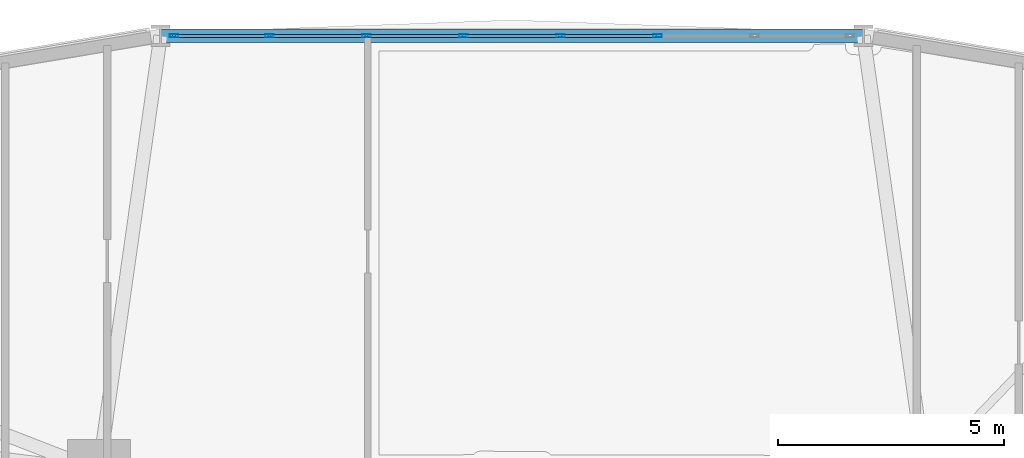
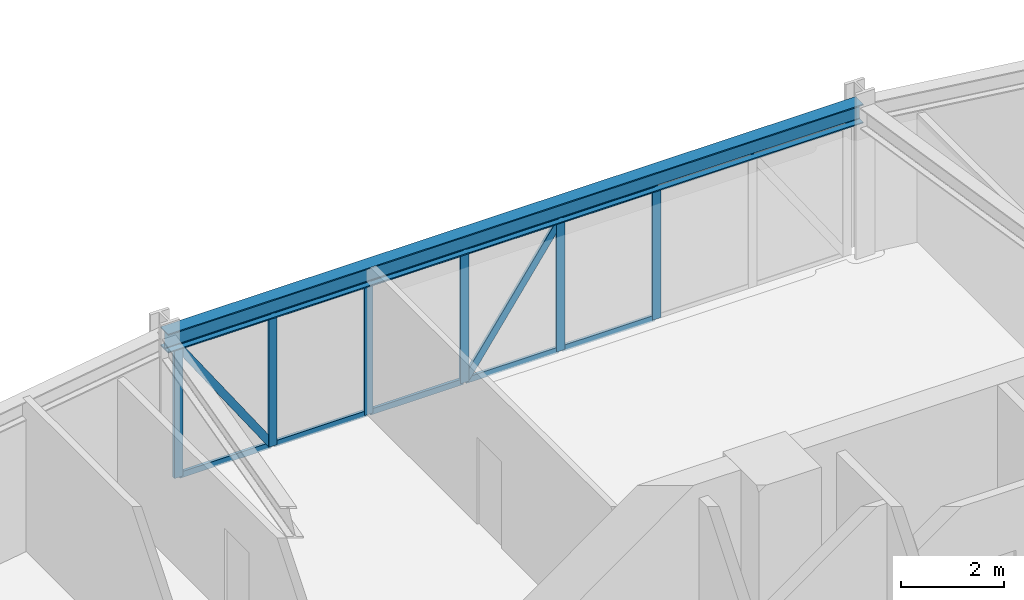
# One storey, part 12 of 22: 18 members, 1 beam, 1 element without a shape of its own.
"""IFC4 building model written with IfcOpenShell, lengths in metres."""

from ifc_helpers import new_model, si_unit, derived_unit, direction, frame, origin, origin_2d, place, context, subcontext, project, spatial, hollow_rectangle, i_section, extrude, source, transform, mapped, material, layer, layer_set, material_profile, profile_set, type_object, element, aggregate, save


model = new_model("IFC4")

# Units and contexts
model_context = context("Model", 3, precision=1e-05, world=origin(), true_north=direction((0.0, 1.0)))
body_context = subcontext(model_context, "Body", "Model", "MODEL_VIEW")
ifc_project = project(units=[si_unit("LENGTHUNIT", "METRE"), si_unit("AREAUNIT", "SQUARE_METRE"), si_unit("VOLUMEUNIT", "CUBIC_METRE"), si_unit("PLANEANGLEUNIT", "RADIAN"), si_unit("MASSUNIT", "GRAM", prefix="KILO"), derived_unit("THERMALTRANSMITTANCEUNIT", [(si_unit("POWERUNIT", "WATT"), 1), (si_unit("LENGTHUNIT", "METRE"), -2), (si_unit("THERMODYNAMICTEMPERATUREUNIT", "KELVIN"), -1)])], contexts=[model_context])

# Site, building, storey
site_placement = place(None, origin())
site = spatial("IfcSite", under=ifc_project, at=site_placement, CompositionType="ELEMENT")
building_placement = place(site_placement, origin())
building = spatial("IfcBuilding", under=site, at=building_placement, Name="Korsvarv Bourse and Concert Hall", CompositionType="ELEMENT")
storey_placement = place(building_placement, frame((0.0, 0.0, 55.199951171875)))
storey = spatial("IfcBuildingStorey", under=building, at=storey_placement, Name="L13", CompositionType="ELEMENT", Elevation=55.199951171875)

# Beam
ifc_material_1 = material(Name="Steel S355", Category="steel")
ifc_material_profile_1 = material_profile(ifc_material_1, i_section(OverallWidth=0.300048828125, OverallDepth=0.449951171875, WebThickness=0.013916015625, FlangeThickness=0.02587890625, FilletRadius=0.02099609375, at=origin_2d()), Name="HEB 450")
ifc_profile_set_1 = profile_set([ifc_material_profile_1], Name="Steel S355")
beam_type = type_object("IfcBeamType", Name="BM-HEB450", PredefinedType="SPANDREL", material=ifc_profile_set_1)
shared_shape_1 = source(origin(), body_context, "Body", "SweptSolid", [
    extrude(i_section(OverallWidth=0.300048828125, OverallDepth=0.449951171875, WebThickness=0.013916015625, FlangeThickness=0.02587890625, FilletRadius=0.02099609375, at=origin_2d()), origin(), (0.0, 0.0, 1.0), 15.5693359375),
])
beam_placement = place(storey_placement, frame((43.78466796875, 56.889404296875, 3.3349609375), z_axis=(-1.0, 0.0, 0.0), x_axis=(0.0, -1.0, 0.0)))
element("IfcBeam", 1, at=beam_placement, inside=storey, type_object=beam_type, Name="L13 beam B-08", PredefinedType="SPANDREL", context=body_context, shape_type="MappedRepresentation", body=[
    mapped(shared_shape_1, transform((0.0, 0.0, 0.0), scale=1.0)),
])

# Curtain wall, members
ifc_material_2 = material(Name="Anodised aluminium and triple low-E glazing", Category="glass")
ifc_layer = layer(ifc_material_2, 0.219970703125)
ifc_layer_set = layer_set([ifc_layer], Name="Anodised aluminium and triple low-E glazing")
curtain_wall_type = type_object("IfcCurtainWallType", Name="CW-SYS-1", PredefinedType="NOTDEFINED", material=ifc_layer_set)
curtain_wall_placement = place(storey_placement, origin())
curtain_wall = element("IfcCurtainWall", 2, at=curtain_wall_placement, inside=storey, type_object=curtain_wall_type, Name="L13 CW1 curtain wall CW-L13-F03", PredefinedType="NOTDEFINED")
ifc_material_3 = material(Name="Extruded aluminium EN AW-6063 T66", Category="aluminium")
ifc_material_profile_2 = material_profile(ifc_material_3, hollow_rectangle(XDim=0.06494140625, YDim=0.139892578125, WallThickness=0.00390625, at=origin_2d()), Name="ALU-T 65x140")
ifc_profile_set_2 = profile_set([ifc_material_profile_2], Name="Extruded aluminium EN AW-6063 T66")
member_type_1 = type_object("IfcMemberType", Name="CWT-140", PredefinedType="USERDEFINED", material=ifc_profile_set_2)
shared_shape_2 = source(origin(), body_context, "Body", "SweptSolid", [
    extrude(hollow_rectangle(XDim=0.06494140625, YDim=0.139892578125, WallThickness=0.00390625, at=origin_2d()), origin(), (0.0, 0.0, 1.0), 2.044189453125),
])
member_1_placement = place(storey_placement, frame((30.591552734375, 56.889404296875, 0.032470703125), z_axis=(-1.0, 0.0, 0.0), x_axis=(0.0, -1.0, 0.0)))
member_1 = element("IfcMember", 3, at=member_1_placement, type_object=member_type_1, Name="CW1 transom 7.1", ObjectType="TRANSOM", PredefinedType="USERDEFINED", context=body_context, shape_type="MappedRepresentation", body=[
    mapped(shared_shape_2, transform((0.0, 0.0, 0.0), scale=1.0)),
])
member_2_placement = place(storey_placement, frame((30.591552734375, 56.889404296875, 3.07763671875), z_axis=(-1.0, 0.0, 0.0), x_axis=(0.0, -1.0, 0.0)))
member_2 = element("IfcMember", 4, at=member_2_placement, type_object=member_type_1, Name="CW1 transom 7.2", ObjectType="TRANSOM", PredefinedType="USERDEFINED", context=body_context, shape_type="MappedRepresentation", body=[
    mapped(shared_shape_2, transform((0.0, 0.0, 0.0), scale=1.0)),
])
shared_shape_3 = source(origin(), body_context, "Body", "SweptSolid", [
    extrude(hollow_rectangle(XDim=0.06494140625, YDim=0.139892578125, WallThickness=0.00390625, at=origin_2d()), origin(), (0.0, 0.0, 1.0), 2.079345703125),
])
member_3_placement = place(storey_placement, frame((39.18896484375, 56.889404296875, 0.032470703125), z_axis=(-1.0, 0.0, 0.0), x_axis=(0.0, -1.0, 0.0)))
member_3 = element("IfcMember", 5, at=member_3_placement, type_object=member_type_1, Name="CW1 transom 3.1", ObjectType="TRANSOM", PredefinedType="USERDEFINED", context=body_context, shape_type="MappedRepresentation", body=[
    mapped(shared_shape_3, transform((0.0, 0.0, 0.0), scale=1.0)),
])
member_4_placement = place(storey_placement, frame((39.18896484375, 56.889404296875, 3.07763671875), z_axis=(-1.0, 0.0, 0.0), x_axis=(0.0, -1.0, 0.0)))
member_4 = element("IfcMember", 6, at=member_4_placement, type_object=member_type_1, Name="CW1 transom 3.2", ObjectType="TRANSOM", PredefinedType="USERDEFINED", context=body_context, shape_type="MappedRepresentation", body=[
    mapped(shared_shape_3, transform((0.0, 0.0, 0.0), scale=1.0)),
])
member_5_placement = place(storey_placement, frame((34.890380859375, 56.889404296875, 0.032470703125), z_axis=(-1.0, 0.0, 0.0), x_axis=(0.0, -1.0, 0.0)))
member_5 = element("IfcMember", 7, at=member_5_placement, type_object=member_type_1, Name="CW1 transom 5.1", ObjectType="TRANSOM", PredefinedType="USERDEFINED", context=body_context, shape_type="MappedRepresentation", body=[
    mapped(shared_shape_3, transform((0.0, 0.0, 0.0), scale=1.0)),
])
member_6_placement = place(storey_placement, frame((34.890380859375, 56.889404296875, 3.07763671875), z_axis=(-1.0, 0.0, 0.0), x_axis=(0.0, -1.0, 0.0)))
member_6 = element("IfcMember", 8, at=member_6_placement, type_object=member_type_1, Name="CW1 transom 5.2", ObjectType="TRANSOM", PredefinedType="USERDEFINED", context=body_context, shape_type="MappedRepresentation", body=[
    mapped(shared_shape_3, transform((0.0, 0.0, 0.0), scale=1.0)),
])
member_7_placement = place(storey_placement, frame((32.740966796875, 56.889404296875, 0.032470703125), z_axis=(-1.0, 0.0, 0.0), x_axis=(0.0, -1.0, 0.0)))
member_7 = element("IfcMember", 9, at=member_7_placement, type_object=member_type_1, Name="CW1 transom 6.1", ObjectType="TRANSOM", PredefinedType="USERDEFINED", context=body_context, shape_type="MappedRepresentation", body=[
    mapped(shared_shape_3, transform((0.0, 0.0, 0.0), scale=1.0)),
])
member_8_placement = place(storey_placement, frame((32.740966796875, 56.889404296875, 3.07763671875), z_axis=(-1.0, 0.0, 0.0), x_axis=(0.0, -1.0, 0.0)))
member_8 = element("IfcMember", 10, at=member_8_placement, type_object=member_type_1, Name="CW1 transom 6.2", ObjectType="TRANSOM", PredefinedType="USERDEFINED", context=body_context, shape_type="MappedRepresentation", body=[
    mapped(shared_shape_3, transform((0.0, 0.0, 0.0), scale=1.0)),
])
shared_shape_4 = source(origin(), body_context, "Body", "SweptSolid", [
    extrude(hollow_rectangle(XDim=0.06494140625, YDim=0.139892578125, WallThickness=0.00390625, at=origin_2d()), origin(), (0.0, 0.0, 1.0), 2.0791015625),
])
member_9_placement = place(storey_placement, frame((37.03955078125, 56.889404296875, 0.032470703125), z_axis=(-1.0, 0.0, 0.0), x_axis=(0.0, -1.0, 0.0)))
member_9 = element("IfcMember", 11, at=member_9_placement, type_object=member_type_1, Name="CW1 transom 4.1", ObjectType="TRANSOM", PredefinedType="USERDEFINED", context=body_context, shape_type="MappedRepresentation", body=[
    mapped(shared_shape_4, transform((0.0, 0.0, 0.0), scale=1.0)),
])
member_10_placement = place(storey_placement, frame((37.03955078125, 56.889404296875, 3.07763671875), z_axis=(-1.0, 0.0, 0.0), x_axis=(0.0, -1.0, 0.0)))
member_10 = element("IfcMember", 12, at=member_10_placement, type_object=member_type_1, Name="CW1 transom 4.2", ObjectType="TRANSOM", PredefinedType="USERDEFINED", context=body_context, shape_type="MappedRepresentation", body=[
    mapped(shared_shape_4, transform((0.0, 0.0, 0.0), scale=1.0)),
])
ifc_material_profile_3 = material_profile(ifc_material_3, hollow_rectangle(XDim=0.070068359375, YDim=0.18994140625, WallThickness=0.0048828125, at=origin_2d()), Name="ALU-M 70x190")
ifc_profile_set_3 = profile_set([ifc_material_profile_3], Name="Extruded aluminium EN AW-6063 T66")
member_type_2 = type_object("IfcMemberType", Name="CWM-190", PredefinedType="MULLION", material=ifc_profile_set_3)
shared_shape_5 = source(origin(), body_context, "Body", "SweptSolid", [
    extrude(hollow_rectangle(XDim=0.070068359375, YDim=0.18994140625, WallThickness=0.0048828125, at=origin_2d()), origin(), (0.0, 0.0, 1.0), 3.110107421875),
])
member_11_placement = place(storey_placement, frame((39.22412109375, 56.889404296875, 0.0), z_axis=(0.0, 0.0, 1.0), x_axis=(0.0, -1.0, 0.0)))
member_11 = element("IfcMember", 13, at=member_11_placement, type_object=member_type_2, Name="CW1 mullion 3", PredefinedType="MULLION", context=body_context, shape_type="MappedRepresentation", body=[
    mapped(shared_shape_5, transform((0.0, 0.0, 0.0), scale=1.0)),
])
member_12_placement = place(storey_placement, frame((37.07470703125, 56.889404296875, 0.0), z_axis=(0.0, 0.0, 1.0), x_axis=(0.0, -1.0, 0.0)))
member_12 = element("IfcMember", 14, at=member_12_placement, type_object=member_type_2, Name="CW1 mullion 4", PredefinedType="MULLION", context=body_context, shape_type="MappedRepresentation", body=[
    mapped(shared_shape_5, transform((0.0, 0.0, 0.0), scale=1.0)),
])
member_13_placement = place(storey_placement, frame((34.92529296875, 56.889404296875, 0.0), z_axis=(0.0, 0.0, 1.0), x_axis=(0.0, -1.0, 0.0)))
member_13 = element("IfcMember", 15, at=member_13_placement, type_object=member_type_2, Name="CW1 mullion 5", PredefinedType="MULLION", context=body_context, shape_type="MappedRepresentation", body=[
    mapped(shared_shape_5, transform((0.0, 0.0, 0.0), scale=1.0)),
])
member_14_placement = place(storey_placement, frame((32.77587890625, 56.889404296875, 0.0), z_axis=(0.0, 0.0, 1.0), x_axis=(0.0, -1.0, 0.0)))
member_14 = element("IfcMember", 16, at=member_14_placement, type_object=member_type_2, Name="CW1 mullion 6", PredefinedType="MULLION", context=body_context, shape_type="MappedRepresentation", body=[
    mapped(shared_shape_5, transform((0.0, 0.0, 0.0), scale=1.0)),
])
member_15_placement = place(storey_placement, frame((30.626708984375, 56.889404296875, 0.0), z_axis=(0.0, 0.0, 1.0), x_axis=(0.0, -1.0, 0.0)))
member_15 = element("IfcMember", 17, at=member_15_placement, type_object=member_type_2, Name="CW1 mullion 7", PredefinedType="MULLION", context=body_context, shape_type="MappedRepresentation", body=[
    mapped(shared_shape_5, transform((0.0, 0.0, 0.0), scale=1.0)),
])
member_16_placement = place(storey_placement, frame((28.51220703125, 56.889404296875, 0.0), z_axis=(0.0, 0.0, 1.0), x_axis=(0.0, -1.0, 0.0)))
member_16 = element("IfcMember", 18, at=member_16_placement, type_object=member_type_2, Name="CW1 mullion 8", PredefinedType="MULLION", context=body_context, shape_type="MappedRepresentation", body=[
    mapped(shared_shape_5, transform((0.0, 0.0, 0.0), scale=1.0)),
])
ifc_material_profile_4 = material_profile(ifc_material_3, hollow_rectangle(XDim=0.06494140625, YDim=0.1650390625, WallThickness=0.0048828125, at=origin_2d()), Name="ALU-M 65x165")
ifc_profile_set_4 = profile_set([ifc_material_profile_4], Name="Extruded aluminium EN AW-6063 T66")
member_type_3 = type_object("IfcMemberType", Name="CWM-165", PredefinedType="MULLION", material=ifc_profile_set_4)
shared_shape_6 = source(origin(), body_context, "Body", "SweptSolid", [
    extrude(hollow_rectangle(XDim=0.06494140625, YDim=0.1650390625, WallThickness=0.0048828125, at=origin_2d()), origin(), (0.0, 0.0, 1.0), 3.614013671875),
])
member_17_placement = place(storey_placement, frame((30.591552734375, 56.889404296875, 0.06494140625), z_axis=(-0.565642568135, 0.0, 0.824650523018), x_axis=(0.0, -1.0, 0.0)))
member_17 = element("IfcMember", 19, at=member_17_placement, type_object=member_type_3, Name="CW1 diagonal mullion 7", PredefinedType="MULLION", context=body_context, shape_type="MappedRepresentation", body=[
    mapped(shared_shape_6, transform((0.0, 0.0, 0.0), scale=1.0)),
])
shared_shape_7 = source(origin(), body_context, "Body", "SweptSolid", [
    extrude(hollow_rectangle(XDim=0.06494140625, YDim=0.1650390625, WallThickness=0.0048828125, at=origin_2d()), origin(), (0.0, 0.0, 1.0), 3.6337890625),
])
member_18_placement = place(storey_placement, frame((34.96044921875, 56.889404296875, 0.06494140625), z_axis=(0.572158475304, 0.0, 0.820143084551), x_axis=(0.0, 1.0, 0.0)))
member_18 = element("IfcMember", 20, at=member_18_placement, type_object=member_type_3, Name="CW1 diagonal mullion 4", PredefinedType="MULLION", context=body_context, shape_type="MappedRepresentation", body=[
    mapped(shared_shape_7, transform((0.0, 0.0, 0.0), scale=1.0)),
])
aggregate(curtain_wall, [member_11, member_12, member_13, member_14, member_15, member_16, member_3, member_4, member_9, member_10, member_18, member_5, member_6, member_7, member_8, member_1, member_2, member_17])

save(model, "model.ifc")
